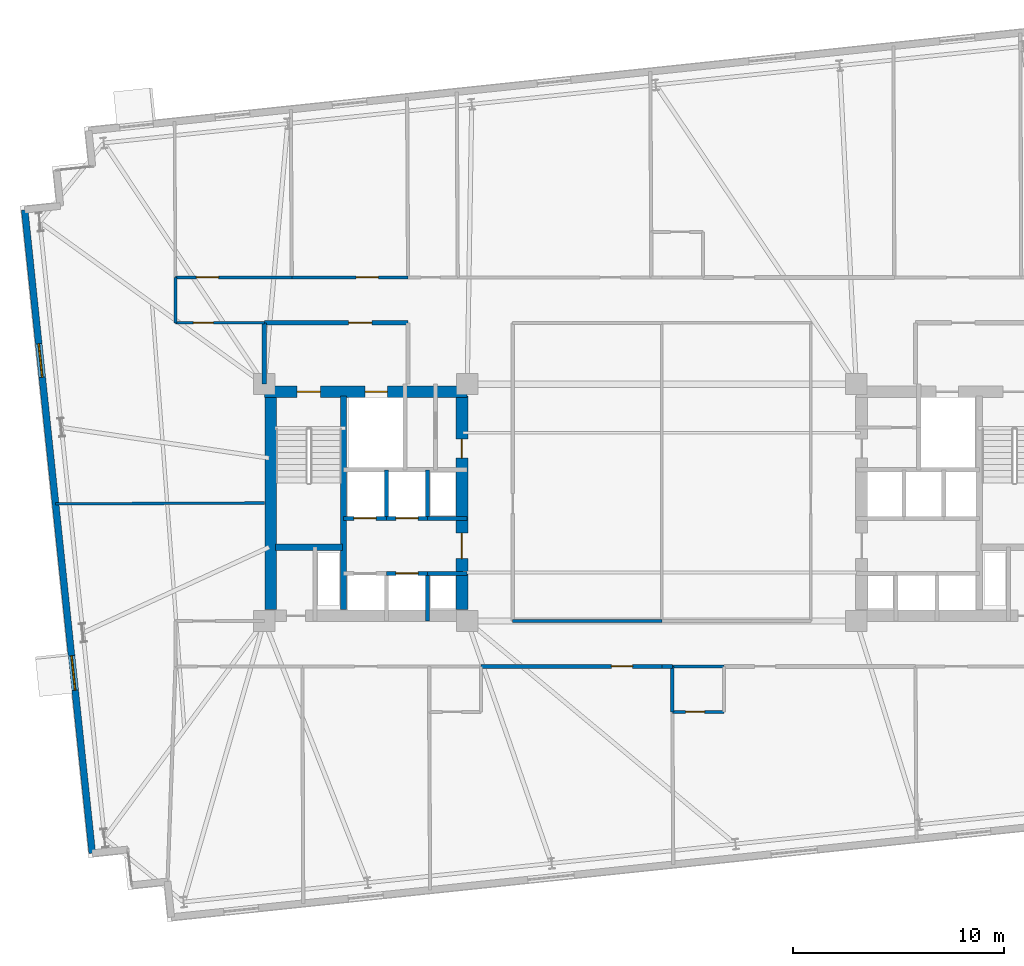
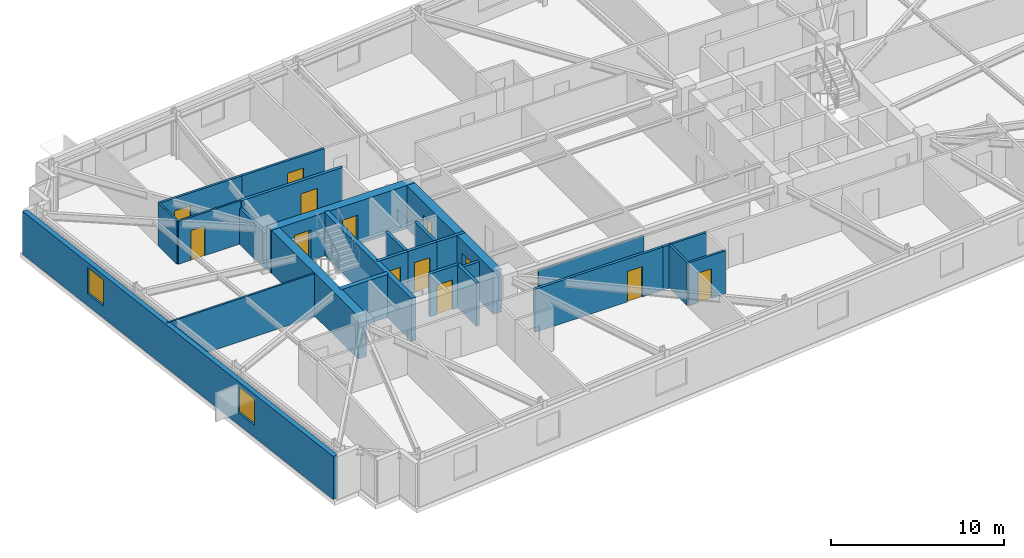
# One storey, part 12 of 17: 27 walls, 13 doors, 2 windows, 15 openings.
"""IFC4 building model written with IfcOpenShell, lengths in metres."""

from ifc_helpers import new_model, si_unit, direction, frame, frame_2d, origin, place, context, subcontext, project, spatial, rectangle, extrude, material, layer, layer_set, type_object, element, fill, save


model = new_model("IFC4")

# Units and contexts
model_context = context("Model", 3, precision=1e-05, world=origin(), true_north=direction((0.0, 1.0)))
body_context = subcontext(model_context, "Body", "Model", "MODEL_VIEW")
ifc_project = project(units=[si_unit("LENGTHUNIT", "METRE"), si_unit("AREAUNIT", "SQUARE_METRE"), si_unit("VOLUMEUNIT", "CUBIC_METRE"), si_unit("PLANEANGLEUNIT", "RADIAN"), si_unit("MASSUNIT", "GRAM", prefix="KILO")], contexts=[model_context])

# Site, building, storey
site_placement = place(None, origin())
site = spatial("IfcSite", under=ifc_project, at=site_placement, CompositionType="ELEMENT")
building_placement = place(site_placement, origin())
building = spatial("IfcBuilding", under=site, at=building_placement, Name="Qobustan Lattice House", CompositionType="ELEMENT")
storey_placement = place(building_placement, frame((0.0, 0.0, 112.5)))
storey = spatial("IfcBuildingStorey", under=building, at=storey_placement, Name="L31", CompositionType="ELEMENT", Elevation=112.5)

# Wall, openings, doors
ifc_material_1 = material(Name="Concrete C60/75", Category="concrete")
ifc_layer_1 = layer(ifc_material_1, 0.56005859375)
ifc_layer_set_1 = layer_set([ifc_layer_1], Name="Concrete C60/75")
wall_type_1 = type_object("IfcWallType", Name="WAL-CORE-600", PredefinedType="SHEAR", material=ifc_layer_set_1)
wall_1_placement = place(storey_placement, frame((-18.800048828125, 5.239990234375, 0.0), z_axis=(0.0, 0.0, 1.0), x_axis=(1.0, 0.0, 0.0)))
wall_1 = element("IfcWall", 1, at=wall_1_placement, inside=storey, type_object=wall_type_1, Name="L31 split-core shear wall CW-N", PredefinedType="SHEAR", context=body_context, shape_type="SweptSolid", body=[
    extrude(rectangle(XDim=9.60009765625, YDim=0.56005859375, at=frame_2d((4.800048828125, 0.0))), origin(), (0.0, 0.0, 1.0), 3.044921875),
])
opening_1_placement = place(wall_1_placement, frame((1.550048828125, 0.0, 0.0)))
opening_1 = element("IfcOpeningElement", 2, at=opening_1_placement, cuts=wall_1, Name="Opening SD-01", PredefinedType="OPENING", context=body_context, shape_type="SweptSolid", body=[
    extrude(rectangle(XDim=1.10009765625, YDim=2.14990234375, at=frame_2d((0.550048828125, 1.074951171875))), frame((0.0, 0.2900390625, 0.0), z_axis=(0.0, -1.0, 0.0), x_axis=(1.0, 0.0, 0.0)), (0.0, 0.0, 1.0), 0.580078125),
])
opening_2_placement = place(wall_1_placement, frame((4.77490234375, 0.0, 0.0)))
opening_2 = element("IfcOpeningElement", 3, at=opening_2_placement, cuts=wall_1, Name="Opening LD-01", PredefinedType="OPENING", context=body_context, shape_type="SweptSolid", body=[
    extrude(rectangle(XDim=1.050048828125, YDim=2.10009765625, at=frame_2d((0.52490234375, 1.050048828125))), frame((0.0, 0.2900390625, 0.0), z_axis=(0.0, -1.0, 0.0), x_axis=(1.0, 0.0, 0.0)), (0.0, 0.0, 1.0), 0.580078125),
])
ifc_material_2 = material(Name="Persian walnut timber and steel frame door", Category="steel")
door_type_1 = type_object("IfcDoorType", Name="DOR-LIFT-LD-1050x2100", OperationType="NOTDEFINED", PredefinedType="DOOR", material=ifc_material_2)
door_1_placement = place(opening_2_placement, origin())
door_1 = element("IfcDoor", 4, at=door_1_placement, inside=storey, type_object=door_type_1, Name="L31 firefighting lift FF-W landing door", OperationType="DOUBLE_DOOR_SLIDING", OverallHeight=2.10009765625, OverallWidth=1.050048828125, PredefinedType="DOOR", context=body_context, shape_type="SweptSolid", body=[
    extrude(rectangle(XDim=1.050048828125, YDim=2.10009765625, at=frame_2d((0.52490234375, 1.050048828125))), frame((0.0, 0.02490234375, 0.0), z_axis=(0.0, -1.0, 0.0), x_axis=(1.0, 0.0, 0.0)), (0.0, 0.0, 1.0), 0.050048828125),
])
fill(opening_2, door_1)
ifc_material_3 = material(Name="Persian walnut timber and steel frame door", Category="steel")
door_type_2 = type_object("IfcDoorType", Name="DOR-STAIR-FD-1100x2150", OperationType="NOTDEFINED", PredefinedType="DOOR", material=ifc_material_3)
door_2_placement = place(opening_1_placement, origin())
door_2 = element("IfcDoor", 5, at=door_2_placement, inside=storey, type_object=door_type_2, Name="L31 exit stair ST-W1 fire door", OperationType="SINGLE_SWING_RIGHT", OverallHeight=2.14990234375, OverallWidth=1.10009765625, PredefinedType="DOOR", context=body_context, shape_type="SweptSolid", body=[
    extrude(rectangle(XDim=1.10009765625, YDim=2.14990234375, at=frame_2d((0.550048828125, 1.074951171875))), frame((0.0, 0.02490234375, 0.0), z_axis=(0.0, -1.0, 0.0), x_axis=(1.0, 0.0, 0.0)), (0.0, 0.0, 1.0), 0.050048828125),
])
fill(opening_1, door_2)

# Wall
wall_2_placement = place(storey_placement, frame((-18.489990234375, -5.050048828125, 0.0), z_axis=(0.0, 0.0, 1.0), x_axis=(0.0, 1.0, 0.0)))
element("IfcWall", 6, at=wall_2_placement, inside=storey, type_object=wall_type_1, Name="L31 split-core shear wall CW-W", PredefinedType="SHEAR", context=body_context, shape_type="SweptSolid", body=[
    extrude(rectangle(XDim=10.10009765625, YDim=0.56005859375, at=frame_2d((5.050048828125, 0.0))), origin(), (0.0, 0.0, 1.0), 3.044921875),
])

# Wall, openings, doors
wall_3_placement = place(storey_placement, frame((-9.449951171875, -5.050048828125, 0.0), z_axis=(0.0, 0.0, 1.0), x_axis=(0.0, 1.0, 0.0)))
wall_3 = element("IfcWall", 7, at=wall_3_placement, inside=storey, type_object=wall_type_1, Name="L31 split-core shear wall CW-E", PredefinedType="SHEAR", context=body_context, shape_type="SweptSolid", body=[
    extrude(rectangle(XDim=10.10009765625, YDim=0.56005859375, at=frame_2d((5.050048828125, 0.0))), origin(), (0.0, 0.0, 1.0), 3.044921875),
])
opening_3_placement = place(wall_3_placement, frame((7.14990234375, 0.0, 0.0)))
opening_3 = element("IfcOpeningElement", 8, at=opening_3_placement, cuts=wall_3, Name="Opening RD-01", PredefinedType="OPENING", context=body_context, shape_type="SweptSolid", body=[
    extrude(rectangle(XDim=0.89990234375, YDim=2.10009765625, at=frame_2d((0.449951171875, 1.050048828125))), frame((0.0, 0.2900390625, 0.0), z_axis=(0.0, -1.0, 0.0), x_axis=(1.0, 0.0, 0.0)), (0.0, 0.0, 1.0), 0.580078125),
])
opening_4_placement = place(wall_3_placement, frame((2.39990234375, 0.0, 0.0)))
opening_4 = element("IfcOpeningElement", 9, at=opening_4_placement, cuts=wall_3, Name="Opening FD-01", PredefinedType="OPENING", context=body_context, shape_type="SweptSolid", body=[
    extrude(rectangle(XDim=1.199951171875, YDim=2.14990234375, at=frame_2d((0.60009765625, 1.074951171875))), frame((0.0, 0.2900390625, 0.0), z_axis=(0.0, -1.0, 0.0), x_axis=(1.0, 0.0, 0.0)), (0.0, 0.0, 1.0), 0.580078125),
])
ifc_material_4 = material(Name="Persian walnut timber and steel frame door", Category="steel")
door_type_3 = type_object("IfcDoorType", Name="DOR-LOBBY-FD-1200x2150", OperationType="NOTDEFINED", PredefinedType="DOOR", material=ifc_material_4)
door_3_placement = place(opening_4_placement, origin())
door_3 = element("IfcDoor", 10, at=door_3_placement, inside=storey, type_object=door_type_3, Name="L31 West passenger lift lobby fire door", OperationType="SINGLE_SWING_LEFT", OverallHeight=2.14990234375, OverallWidth=1.199951171875, PredefinedType="DOOR", context=body_context, shape_type="SweptSolid", body=[
    extrude(rectangle(XDim=1.199951171875, YDim=2.14990234375, at=frame_2d((0.60009765625, 1.074951171875))), frame((0.0, 0.02490234375, 0.0), z_axis=(0.0, -1.0, 0.0), x_axis=(1.0, 0.0, 0.0)), (0.0, 0.0, 1.0), 0.050048828125),
])
fill(opening_4, door_3)
ifc_material_5 = material(Name="Persian walnut timber and steel frame door", Category="steel")
door_type_4 = type_object("IfcDoorType", Name="DOR-RISER-FD-900x2100", OperationType="NOTDEFINED", PredefinedType="DOOR", material=ifc_material_5)
door_4_placement = place(opening_3_placement, origin())
door_4 = element("IfcDoor", 11, at=door_4_placement, inside=storey, type_object=door_type_4, Name="L31 Data comms closet fire door", OperationType="SINGLE_SWING_RIGHT", OverallHeight=2.10009765625, OverallWidth=0.89990234375, PredefinedType="DOOR", context=body_context, shape_type="SweptSolid", body=[
    extrude(rectangle(XDim=0.89990234375, YDim=2.10009765625, at=frame_2d((0.449951171875, 1.050048828125))), frame((0.0, 0.02490234375, 0.0), z_axis=(0.0, -1.0, 0.0), x_axis=(1.0, 0.0, 0.0)), (0.0, 0.0, 1.0), 0.050048828125),
])
fill(opening_3, door_4)

# Walls
ifc_material_6 = material(Name="Concrete C50/60", Category="concrete")
ifc_layer_2 = layer(ifc_material_6, 0.280029296875)
ifc_layer_set_2 = layer_set([ifc_layer_2], Name="Concrete C50/60")
wall_type_2 = type_object("IfcWallType", Name="WAL-CORE-SPINE-280", PredefinedType="SHEAR", material=ifc_layer_set_2)
wall_4_placement = place(storey_placement, frame((-15.050048828125, -5.050048828125, 0.0), z_axis=(0.0, 0.0, 1.0), x_axis=(0.0, 1.0, 0.0)))
element("IfcWall", 12, at=wall_4_placement, inside=storey, type_object=wall_type_2, Name="L31 split-core shear wall CW-M", PredefinedType="SHEAR", context=body_context, shape_type="SweptSolid", body=[
    extrude(rectangle(XDim=10.10009765625, YDim=0.300048828125, at=frame_2d((5.050048828125, 0.0))), origin(), (0.0, 0.0, 1.0), 3.044921875),
])
wall_5_placement = place(storey_placement, frame((-18.280029296875, -2.110107421875, 0.0), z_axis=(0.0, 0.0, 1.0), x_axis=(1.0, 0.0, 0.0)))
element("IfcWall", 13, at=wall_5_placement, inside=storey, type_object=wall_type_2, Name="L31 split-core shear wall CW-ST", PredefinedType="SHEAR", context=body_context, shape_type="SweptSolid", body=[
    extrude(rectangle(XDim=3.179931640625, YDim=0.300048828125, at=frame_2d((1.58984375, 0.0))), origin(), (0.0, 0.0, 1.0), 3.044921875),
])

# Wall, openings, windows
ifc_material_7 = material(Name="Precast concrete C40/50", Category="concrete")
ifc_layer_3 = layer(ifc_material_7, 0.320068359375)
ifc_layer_set_3 = layer_set([ifc_layer_3], Name="Precast concrete C40/50")
wall_type_3 = type_object("IfcWallType", Name="WAL-EXT-STONE-320", PredefinedType="SOLIDWALL", material=ifc_layer_set_3)
wall_6_placement = place(storey_placement, frame((-26.934814453125, -16.58349609375, 0.0), z_axis=(0.0, 0.0, 1.0), x_axis=(-0.104524887486, 0.994522271192, 0.0)))
wall_6 = element("IfcWall", 14, at=wall_6_placement, inside=storey, type_object=wall_type_3, Name="L31 exterior limestone-clad wall 5", PredefinedType="SOLIDWALL", context=body_context, shape_type="SweptSolid", body=[
    extrude(rectangle(XDim=30.600341796875, YDim=0.320068359375, at=frame_2d((15.30029296875, 0.0))), origin(), (0.0, 0.0, 1.0), 3.044921875),
])
opening_5_placement = place(wall_6_placement, frame((7.74609375, 0.0, 0.85009765625)))
opening_5 = element("IfcOpeningElement", 15, at=opening_5_placement, cuts=wall_6, Name="Opening WN-09", PredefinedType="OPENING", context=body_context, shape_type="SweptSolid", body=[
    extrude(rectangle(XDim=1.64990234375, YDim=1.85009765625, at=frame_2d((0.824951171875, 0.925048828125))), frame((0.0, 0.169921875, 0.0), z_axis=(0.0, -1.0, 0.0), x_axis=(1.0, 0.0, 0.0)), (0.0, 0.0, 1.0), 0.340087890625),
])
opening_6_placement = place(wall_6_placement, frame((22.630615234375, 0.0, 0.85009765625)))
opening_6 = element("IfcOpeningElement", 16, at=opening_6_placement, cuts=wall_6, Name="Opening WN-13", PredefinedType="OPENING", context=body_context, shape_type="SweptSolid", body=[
    extrude(rectangle(XDim=1.60009765625, YDim=1.85009765625, at=frame_2d((0.800048828125, 0.925048828125))), frame((0.0, 0.169921875, 0.0), z_axis=(0.0, -1.0, 0.0), x_axis=(1.0, 0.0, 0.0)), (0.0, 0.0, 1.0), 0.340087890625),
])
ifc_material_8 = material(Name="Double-glazed low-E aluminium window", Category="aluminium")
window_type_1 = type_object("IfcWindowType", Name="WIN-BED-1600x1850", PartitioningType="SINGLE_PANEL", PredefinedType="WINDOW", material=ifc_material_8)
window_1_placement = place(opening_6_placement, origin())
window_1 = element("IfcWindow", 17, at=window_1_placement, inside=storey, type_object=window_type_1, Name="L31 Music and podcast studio window", OverallHeight=1.85009765625, OverallWidth=1.60009765625, PartitioningType="SINGLE_PANEL", PredefinedType="WINDOW", context=body_context, shape_type="SweptSolid", body=[
    extrude(rectangle(XDim=1.60009765625, YDim=1.85009765625, at=frame_2d((0.800048828125, 0.925048828125))), frame((0.0, 0.030029296875, 0.0), z_axis=(0.0, -1.0, 0.0), x_axis=(1.0, 0.0, 0.0)), (0.0, 0.0, 1.0), 0.06005859375),
])
fill(opening_6, window_1)
ifc_material_9 = material(Name="Double-glazed low-E aluminium window", Category="aluminium")
window_type_2 = type_object("IfcWindowType", Name="WIN-STU-1650x1850", PartitioningType="SINGLE_PANEL", PredefinedType="WINDOW", material=ifc_material_9)
window_2_placement = place(opening_5_placement, origin())
window_2 = element("IfcWindow", 18, at=window_2_placement, inside=storey, type_object=window_type_2, Name="L31 Academic seminar room window", OverallHeight=1.85009765625, OverallWidth=1.64990234375, PartitioningType="SINGLE_PANEL", PredefinedType="WINDOW", context=body_context, shape_type="SweptSolid", body=[
    extrude(rectangle(XDim=1.64990234375, YDim=1.85009765625, at=frame_2d((0.824951171875, 0.925048828125))), frame((0.0, 0.030029296875, 0.0), z_axis=(0.0, -1.0, 0.0), x_axis=(1.0, 0.0, 0.0)), (0.0, 0.0, 1.0), 0.06005859375),
])
fill(opening_5, window_2)

# Wall, opening, door
ifc_material_10 = material(Name="Gypsum fireboard acoustic partition", Category="gypsum")
ifc_layer_4 = layer(ifc_material_10, 0.179931640625)
ifc_layer_set_4 = layer_set([ifc_layer_4], Name="Gypsum fireboard acoustic partition")
wall_type_4 = type_object("IfcWallType", Name="WAL-FIRE-180", PredefinedType="PARTITIONING", material=ifc_layer_set_4)
wall_7_placement = place(storey_placement, frame((0.0, -7.75, 0.0), z_axis=(0.0, 0.0, 1.0), x_axis=(-1.0, 0.0, 0.0)))
wall_7 = element("IfcWall", 19, at=wall_7_placement, inside=storey, type_object=wall_type_4, Name="L31 interior partition 57", PredefinedType="PARTITIONING", context=body_context, shape_type="SweptSolid", body=[
    extrude(rectangle(XDim=8.550048828125, YDim=0.179931640625, at=frame_2d((4.27490234375, 0.0))), origin(), (0.0, 0.0, 1.0), 3.044921875),
])
opening_7_placement = place(wall_7_placement, frame((1.37890625, 0.0, 0.0)))
opening_7 = element("IfcOpeningElement", 20, at=opening_7_placement, cuts=wall_7, Name="Opening FD-02", PredefinedType="OPENING", context=body_context, shape_type="SweptSolid", body=[
    extrude(rectangle(XDim=1.0, YDim=2.14990234375, at=frame_2d((0.5, 1.074951171875))), frame((0.0, 0.099853515625, 0.0), z_axis=(0.0, -1.0, 0.0), x_axis=(1.0, 0.0, 0.0)), (0.0, 0.0, 1.0), 0.199951171875),
])
ifc_material_11 = material(Name="Persian walnut timber and steel frame door", Category="steel")
door_type_5 = type_object("IfcDoorType", Name="DOR-UNIT-FD-1000x2150", OperationType="NOTDEFINED", PredefinedType="DOOR", material=ifc_material_11)
door_5_placement = place(opening_7_placement, origin())
door_5 = element("IfcDoor", 21, at=door_5_placement, inside=storey, type_object=door_type_5, Name="L31 South-west floor corridor to Kitchenette and studio apartment L31-S2 door", OperationType="SINGLE_SWING_RIGHT", OverallHeight=2.14990234375, OverallWidth=1.0, PredefinedType="DOOR", context=body_context, shape_type="SweptSolid", body=[
    extrude(rectangle(XDim=1.0, YDim=2.14990234375, at=frame_2d((0.5, 1.074951171875))), frame((0.0, 0.02490234375, 0.0), z_axis=(0.0, -1.0, 0.0), x_axis=(1.0, 0.0, 0.0)), (0.0, 0.0, 1.0), 0.050048828125),
])
fill(opening_7, door_5)

# Wall
wall_8_placement = place(storey_placement, frame((0.5, -7.75, 0.0), z_axis=(0.0, 0.0, 1.0), x_axis=(-1.0, 0.0, 0.0)))
element("IfcWall", 22, at=wall_8_placement, inside=storey, type_object=wall_type_4, Name="L31 interior partition 62", PredefinedType="PARTITIONING", context=body_context, shape_type="SweptSolid", body=[
    extrude(rectangle(XDim=0.5, YDim=0.179931640625, at=frame_2d((0.25, 0.0))), origin(), (0.0, 0.0, 1.0), 3.044921875),
])

# Wall, opening, door
ifc_material_12 = material(Name="Lightweight acoustic stud partition", Category="gypsum")
ifc_layer_5 = layer(ifc_material_12, 0.125)
ifc_layer_set_5 = layer_set([ifc_layer_5], Name="Lightweight acoustic stud partition")
wall_type_5 = type_object("IfcWallType", Name="WAL-PART-125", PredefinedType="PARTITIONING", material=ifc_layer_set_5)
wall_9_placement = place(storey_placement, frame((-18.800048828125, 8.5, 0.0), z_axis=(0.0, 0.0, 1.0), x_axis=(-1.0, 0.0, 0.0)))
wall_9 = element("IfcWall", 23, at=wall_9_placement, inside=storey, type_object=wall_type_5, Name="L31 interior partition 38", PredefinedType="PARTITIONING", context=body_context, shape_type="SweptSolid", body=[
    extrude(rectangle(XDim=4.199951171875, YDim=0.125, at=frame_2d((2.10009765625, 0.0))), origin(), (0.0, 0.0, 1.0), 3.044921875),
])
opening_8_placement = place(wall_9_placement, frame((2.40869140625, 0.0, 0.0)))
opening_8 = element("IfcOpeningElement", 24, at=opening_8_placement, cuts=wall_9, Name="Opening ID-01", PredefinedType="OPENING", context=body_context, shape_type="SweptSolid", body=[
    extrude(rectangle(XDim=0.949951171875, YDim=2.10009765625, at=frame_2d((0.47509765625, 1.050048828125))), frame((0.0, 0.072509765625, 0.0), z_axis=(0.0, -1.0, 0.0), x_axis=(1.0, 0.0, 0.0)), (0.0, 0.0, 1.0), 0.14501953125),
])
ifc_material_13 = material(Name="Persian walnut timber and steel frame door", Category="steel")
door_type_6 = type_object("IfcDoorType", Name="DOR-ROOM-950x2100", OperationType="NOTDEFINED", PredefinedType="DOOR", material=ifc_material_13)
door_6_placement = place(opening_8_placement, origin())
door_6 = element("IfcDoor", 25, at=door_6_placement, inside=storey, type_object=door_type_6, Name="L31 North-west floor corridor to Music and podcast studio door", OperationType="SINGLE_SWING_RIGHT", OverallHeight=2.10009765625, OverallWidth=0.949951171875, PredefinedType="DOOR", context=body_context, shape_type="SweptSolid", body=[
    extrude(rectangle(XDim=0.949951171875, YDim=2.10009765625, at=frame_2d((0.47509765625, 1.050048828125))), frame((0.0, 0.02490234375, 0.0), z_axis=(0.0, -1.0, 0.0), x_axis=(1.0, 0.0, 0.0)), (0.0, 0.0, 1.0), 0.050048828125),
])
fill(opening_8, door_6)

# Walls
wall_10_placement = place(storey_placement, frame((-23.0, 8.5, 0.0), z_axis=(0.0, 0.0, 1.0), x_axis=(0.0, 1.0, 0.0)))
element("IfcWall", 26, at=wall_10_placement, inside=storey, type_object=wall_type_5, Name="L31 interior partition 39", PredefinedType="PARTITIONING", context=body_context, shape_type="SweptSolid", body=[
    extrude(rectangle(XDim=2.14990234375, YDim=0.125, at=frame_2d((1.074951171875, 0.0))), origin(), (0.0, 0.0, 1.0), 3.044921875),
])
wall_11_placement = place(storey_placement, frame((-28.6708984375, -0.063720703125, 0.0), z_axis=(0.0, 0.0, 1.0), x_axis=(0.999990089865, 0.004451985263, 0.0)))
element("IfcWall", 27, at=wall_11_placement, inside=storey, type_object=wall_type_5, Name="L31 interior partition 70", PredefinedType="PARTITIONING", context=body_context, shape_type="SweptSolid", body=[
    extrude(rectangle(XDim=9.870849609375, YDim=0.125, at=frame_2d((4.935546875, 0.0))), origin(), (0.0, 0.0, 1.0), 3.044921875),
])

# Wall, opening, door
ifc_material_14 = material(Name="Acoustic twin-stud gypsum partition", Category="gypsum")
ifc_layer_6 = layer(ifc_material_14, 0.14990234375)
ifc_layer_set_6 = layer_set([ifc_layer_6], Name="Acoustic twin-stud gypsum partition")
wall_type_6 = type_object("IfcWallType", Name="WAL-PART-150", PredefinedType="PARTITIONING", material=ifc_layer_set_6)
wall_12_placement = place(storey_placement, frame((-23.0, 10.64990234375, 0.0), z_axis=(0.0, 0.0, 1.0), x_axis=(1.0, 0.0, 0.0)))
wall_12 = element("IfcWall", 28, at=wall_12_placement, inside=storey, type_object=wall_type_6, Name="L31 interior partition 40", PredefinedType="PARTITIONING", context=body_context, shape_type="SweptSolid", body=[
    extrude(rectangle(XDim=5.5, YDim=0.14990234375, at=frame_2d((2.75, 0.0))), origin(), (0.0, 0.0, 1.0), 3.044921875),
])
opening_9_placement = place(wall_12_placement, frame((0.9912109375, 0.0, 0.0)))
opening_9 = element("IfcOpeningElement", 29, at=opening_9_placement, cuts=wall_12, Name="Opening ID-02", PredefinedType="OPENING", context=body_context, shape_type="SweptSolid", body=[
    extrude(rectangle(XDim=1.050048828125, YDim=2.14990234375, at=frame_2d((0.52490234375, 1.074951171875))), frame((0.0, 0.0849609375, 0.0), z_axis=(0.0, -1.0, 0.0), x_axis=(1.0, 0.0, 0.0)), (0.0, 0.0, 1.0), 0.169921875),
])
ifc_material_15 = material(Name="Persian walnut timber and steel frame door", Category="steel")
door_type_7 = type_object("IfcDoorType", Name="DOR-STUDY-1050x2150", OperationType="NOTDEFINED", PredefinedType="DOOR", material=ifc_material_15)
door_7_placement = place(opening_9_placement, origin())
door_7 = element("IfcDoor", 30, at=door_7_placement, inside=storey, type_object=door_type_7, Name="L31 North-west floor corridor to Focus study room N1A door", OperationType="SINGLE_SWING_LEFT", OverallHeight=2.14990234375, OverallWidth=1.050048828125, PredefinedType="DOOR", context=body_context, shape_type="SweptSolid", body=[
    extrude(rectangle(XDim=1.050048828125, YDim=2.14990234375, at=frame_2d((0.52490234375, 1.074951171875))), frame((0.0, 0.02490234375, 0.0), z_axis=(0.0, -1.0, 0.0), x_axis=(1.0, 0.0, 0.0)), (0.0, 0.0, 1.0), 0.050048828125),
])
fill(opening_9, door_7)

wall_13_placement = place(storey_placement, frame((-17.5, 10.64990234375, 0.0), z_axis=(0.0, 0.0, 1.0), x_axis=(1.0, 0.0, 0.0)))
wall_13 = element("IfcWall", 31, at=wall_13_placement, inside=storey, type_object=wall_type_6, Name="L31 interior partition 41", PredefinedType="PARTITIONING", context=body_context, shape_type="SweptSolid", body=[
    extrude(rectangle(XDim=5.5, YDim=0.14990234375, at=frame_2d((2.75, 0.0))), origin(), (0.0, 0.0, 1.0), 3.044921875),
])
opening_10_placement = place(wall_13_placement, frame((3.047607421875, 0.0, 0.0)))
opening_10 = element("IfcOpeningElement", 32, at=opening_10_placement, cuts=wall_13, Name="Opening ID-02", PredefinedType="OPENING", context=body_context, shape_type="SweptSolid", body=[
    extrude(rectangle(XDim=1.050048828125, YDim=2.14990234375, at=frame_2d((0.52490234375, 1.074951171875))), frame((0.0, 0.0849609375, 0.0), z_axis=(0.0, -1.0, 0.0), x_axis=(1.0, 0.0, 0.0)), (0.0, 0.0, 1.0), 0.169921875),
])
door_8_placement = place(opening_10_placement, origin())
door_8 = element("IfcDoor", 33, at=door_8_placement, inside=storey, type_object=door_type_7, Name="L31 North-west floor corridor to Focus study room N1B door", OperationType="SINGLE_SWING_RIGHT", OverallHeight=2.14990234375, OverallWidth=1.050048828125, PredefinedType="DOOR", context=body_context, shape_type="SweptSolid", body=[
    extrude(rectangle(XDim=1.050048828125, YDim=2.14990234375, at=frame_2d((0.52490234375, 1.074951171875))), frame((0.0, 0.02490234375, 0.0), z_axis=(0.0, -1.0, 0.0), x_axis=(1.0, 0.0, 0.0)), (0.0, 0.0, 1.0), 0.050048828125),
])
fill(opening_10, door_8)

# Wall
wall_14_placement = place(storey_placement, frame((-7.050048828125, -5.60009765625, 0.0), z_axis=(0.0, 0.0, 1.0), x_axis=(1.0, 0.0, 0.0)))
element("IfcWall", 34, at=wall_14_placement, inside=storey, type_object=wall_type_6, Name="L31 interior partition 59", PredefinedType="PARTITIONING", context=body_context, shape_type="SweptSolid", body=[
    extrude(rectangle(XDim=7.050048828125, YDim=0.14990234375, at=frame_2d((3.52490234375, 0.0))), origin(), (0.0, 0.0, 1.0), 2.530029296875),
])

# Wall, opening, door
ifc_material_16 = material(Name="Two-hour gypsum fireboard acoustic partition", Category="gypsum")
ifc_layer_7 = layer(ifc_material_16, 0.199951171875)
ifc_layer_set_7 = layer_set([ifc_layer_7], Name="Two-hour gypsum fireboard acoustic partition")
wall_type_7 = type_object("IfcWallType", Name="WAL-PROT-200", PredefinedType="PARTITIONING", material=ifc_layer_set_7)
wall_15_placement = place(storey_placement, frame((-12.0, 8.5, 0.0), z_axis=(0.0, 0.0, 1.0), x_axis=(-1.0, 0.0, 0.0)))
wall_15 = element("IfcWall", 35, at=wall_15_placement, inside=storey, type_object=wall_type_7, Name="L31 interior partition 3", PredefinedType="PARTITIONING", context=body_context, shape_type="SweptSolid", body=[
    extrude(rectangle(XDim=6.800048828125, YDim=0.199951171875, at=frame_2d((3.39990234375, 0.0))), origin(), (0.0, 0.0, 1.0), 3.044921875),
])
opening_11_placement = place(wall_15_placement, frame((1.715087890625, 0.0, 0.0)))
opening_11 = element("IfcOpeningElement", 36, at=opening_11_placement, cuts=wall_15, Name="Opening SD-01", PredefinedType="OPENING", context=body_context, shape_type="SweptSolid", body=[
    extrude(rectangle(XDim=1.10009765625, YDim=2.14990234375, at=frame_2d((0.550048828125, 1.074951171875))), frame((0.0, 0.10986328125, 0.0), z_axis=(0.0, -1.0, 0.0), x_axis=(1.0, 0.0, 0.0)), (0.0, 0.0, 1.0), 0.219970703125),
])
door_9_placement = place(opening_11_placement, origin())
door_9 = element("IfcDoor", 37, at=door_9_placement, inside=storey, type_object=door_type_2, Name="L31 West firefighting lift lobby to North-west floor corridor door", OperationType="SINGLE_SWING_RIGHT", OverallHeight=2.14990234375, OverallWidth=1.10009765625, PredefinedType="DOOR", context=body_context, shape_type="SweptSolid", body=[
    extrude(rectangle(XDim=1.10009765625, YDim=2.14990234375, at=frame_2d((0.550048828125, 1.074951171875))), frame((0.0, 0.02490234375, 0.0), z_axis=(0.0, -1.0, 0.0), x_axis=(1.0, 0.0, 0.0)), (0.0, 0.0, 1.0), 0.050048828125),
])
fill(opening_11, door_9)

# Wall
wall_16_placement = place(storey_placement, frame((-18.800048828125, 8.5, 0.0), z_axis=(0.0, 0.0, 1.0), x_axis=(0.0, -1.0, 0.0)))
element("IfcWall", 38, at=wall_16_placement, inside=storey, type_object=wall_type_7, Name="L31 interior partition 5", PredefinedType="PARTITIONING", context=body_context, shape_type="SweptSolid", body=[
    extrude(rectangle(XDim=2.89990234375, YDim=0.199951171875, at=frame_2d((1.449951171875, 0.0))), origin(), (0.0, 0.0, 1.0), 2.530029296875),
])

# Wall, opening, door
ifc_material_17 = material(Name="Concrete C40/50", Category="concrete")
ifc_layer_8 = layer(ifc_material_17, 0.199951171875)
ifc_layer_set_8 = layer_set([ifc_layer_8], Name="Concrete C40/50")
wall_type_8 = type_object("IfcWallType", Name="WAL-SHAFT-200", PredefinedType="PARTITIONING", material=ifc_layer_set_8)
wall_17_placement = place(storey_placement, frame((-13.02001953125, -3.35009765625, 0.0), z_axis=(0.0, 0.0, 1.0), x_axis=(1.0, 0.0, 0.0)))
wall_17 = element("IfcWall", 39, at=wall_17_placement, inside=storey, type_object=wall_type_8, Name="L31 interior partition 9", PredefinedType="PARTITIONING", context=body_context, shape_type="SweptSolid", body=[
    extrude(rectangle(XDim=1.93994140625, YDim=0.199951171875, at=frame_2d((0.969970703125, 0.0))), origin(), (0.0, 0.0, 1.0), 3.044921875),
])
opening_12_placement = place(wall_17_placement, frame((0.445068359375, 0.0, 0.0)))
opening_12 = element("IfcOpeningElement", 40, at=opening_12_placement, cuts=wall_17, Name="Opening LD-01", PredefinedType="OPENING", context=body_context, shape_type="SweptSolid", body=[
    extrude(rectangle(XDim=1.050048828125, YDim=2.10009765625, at=frame_2d((0.52490234375, 1.050048828125))), frame((0.0, 0.10986328125, 0.0), z_axis=(0.0, -1.0, 0.0), x_axis=(1.0, 0.0, 0.0)), (0.0, 0.0, 1.0), 0.219970703125),
])
door_10_placement = place(opening_12_placement, origin())
door_10 = element("IfcDoor", 41, at=door_10_placement, inside=storey, type_object=door_type_1, Name="L31 lift landing door", OperationType="DOUBLE_DOOR_SLIDING", OverallHeight=2.10009765625, OverallWidth=1.050048828125, PredefinedType="DOOR", context=body_context, shape_type="SweptSolid", body=[
    extrude(rectangle(XDim=1.050048828125, YDim=2.10009765625, at=frame_2d((0.52490234375, 1.050048828125))), frame((0.0, 0.02490234375, 0.0), z_axis=(0.0, -1.0, 0.0), x_axis=(1.0, 0.0, 0.0)), (0.0, 0.0, 1.0), 0.050048828125),
])
fill(opening_12, door_10)

# Wall
wall_18_placement = place(storey_placement, frame((-11.080078125, -3.35009765625, 0.0), z_axis=(0.0, 0.0, 1.0), x_axis=(1.0, 0.0, 0.0)))
element("IfcWall", 42, at=wall_18_placement, inside=storey, type_object=wall_type_8, Name="L31 interior partition 10", PredefinedType="PARTITIONING", context=body_context, shape_type="SweptSolid", body=[
    extrude(rectangle(XDim=1.880126953125, YDim=0.199951171875, at=frame_2d((0.93994140625, 0.0))), origin(), (0.0, 0.0, 1.0), 2.760009765625),
])

# Wall, opening, door
wall_19_placement = place(storey_placement, frame((-13.02001953125, -0.75, 0.0), z_axis=(0.0, 0.0, 1.0), x_axis=(-1.0, 0.0, 0.0)))
wall_19 = element("IfcWall", 43, at=wall_19_placement, inside=storey, type_object=wall_type_8, Name="L31 interior partition 11", PredefinedType="PARTITIONING", context=body_context, shape_type="SweptSolid", body=[
    extrude(rectangle(XDim=2.030029296875, YDim=0.199951171875, at=frame_2d((1.01513671875, 0.0))), origin(), (0.0, 0.0, 1.0), 3.044921875),
])
opening_13_placement = place(wall_19_placement, frame((0.489990234375, 0.0, 0.0)))
opening_13 = element("IfcOpeningElement", 44, at=opening_13_placement, cuts=wall_19, Name="Opening LD-01", PredefinedType="OPENING", context=body_context, shape_type="SweptSolid", body=[
    extrude(rectangle(XDim=1.050048828125, YDim=2.10009765625, at=frame_2d((0.52490234375, 1.050048828125))), frame((0.0, 0.10986328125, 0.0), z_axis=(0.0, -1.0, 0.0), x_axis=(1.0, 0.0, 0.0)), (0.0, 0.0, 1.0), 0.219970703125),
])
door_11_placement = place(opening_13_placement, origin())
door_11 = element("IfcDoor", 45, at=door_11_placement, inside=storey, type_object=door_type_1, Name="L31 lift landing door", OperationType="DOUBLE_DOOR_SLIDING", OverallHeight=2.10009765625, OverallWidth=1.050048828125, PredefinedType="DOOR", context=body_context, shape_type="SweptSolid", body=[
    extrude(rectangle(XDim=1.050048828125, YDim=2.10009765625, at=frame_2d((0.52490234375, 1.050048828125))), frame((0.0, 0.02490234375, 0.0), z_axis=(0.0, -1.0, 0.0), x_axis=(1.0, 0.0, 0.0)), (0.0, 0.0, 1.0), 0.050048828125),
])
fill(opening_13, door_11)

wall_20_placement = place(storey_placement, frame((-11.080078125, -0.75, 0.0), z_axis=(0.0, 0.0, 1.0), x_axis=(-1.0, 0.0, 0.0)))
wall_20 = element("IfcWall", 46, at=wall_20_placement, inside=storey, type_object=wall_type_8, Name="L31 interior partition 12", PredefinedType="PARTITIONING", context=body_context, shape_type="SweptSolid", body=[
    extrude(rectangle(XDim=1.93994140625, YDim=0.199951171875, at=frame_2d((0.969970703125, 0.0))), origin(), (0.0, 0.0, 1.0), 3.044921875),
])
opening_14_placement = place(wall_20_placement, frame((0.445068359375, 0.0, 0.0)))
opening_14 = element("IfcOpeningElement", 47, at=opening_14_placement, cuts=wall_20, Name="Opening LD-01", PredefinedType="OPENING", context=body_context, shape_type="SweptSolid", body=[
    extrude(rectangle(XDim=1.050048828125, YDim=2.10009765625, at=frame_2d((0.52490234375, 1.050048828125))), frame((0.0, 0.10986328125, 0.0), z_axis=(0.0, -1.0, 0.0), x_axis=(1.0, 0.0, 0.0)), (0.0, 0.0, 1.0), 0.219970703125),
])
door_12_placement = place(opening_14_placement, origin())
door_12 = element("IfcDoor", 48, at=door_12_placement, inside=storey, type_object=door_type_1, Name="L31 lift landing door", OperationType="DOUBLE_DOOR_SLIDING", OverallHeight=2.10009765625, OverallWidth=1.050048828125, PredefinedType="DOOR", context=body_context, shape_type="SweptSolid", body=[
    extrude(rectangle(XDim=1.050048828125, YDim=2.10009765625, at=frame_2d((0.52490234375, 1.050048828125))), frame((0.0, 0.02490234375, 0.0), z_axis=(0.0, -1.0, 0.0), x_axis=(1.0, 0.0, 0.0)), (0.0, 0.0, 1.0), 0.050048828125),
])
fill(opening_14, door_12)

# Walls
wall_21_placement = place(storey_placement, frame((-9.199951171875, -0.75, 0.0), z_axis=(0.0, 0.0, 1.0), x_axis=(-1.0, 0.0, 0.0)))
element("IfcWall", 49, at=wall_21_placement, inside=storey, type_object=wall_type_8, Name="L31 interior partition 13", PredefinedType="PARTITIONING", context=body_context, shape_type="SweptSolid", body=[
    extrude(rectangle(XDim=1.880126953125, YDim=0.199951171875, at=frame_2d((0.93994140625, 0.0))), origin(), (0.0, 0.0, 1.0), 3.044921875),
])
wall_22_placement = place(storey_placement, frame((-11.080078125, -5.60009765625, 0.0), z_axis=(0.0, 0.0, 1.0), x_axis=(0.0, 1.0, 0.0)))
element("IfcWall", 50, at=wall_22_placement, inside=storey, type_object=wall_type_8, Name="L31 interior partition 16", PredefinedType="PARTITIONING", context=body_context, shape_type="SweptSolid", body=[
    extrude(rectangle(XDim=2.25, YDim=0.199951171875, at=frame_2d((1.125, 0.0))), origin(), (0.0, 0.0, 1.0), 3.044921875),
])
for number, where, z_axis, x_axis, name in (
    (51, (-13.02001953125, -0.75, 0.0), (0.0, 0.0, 1.0), (0.0, 1.0, 0.0), "L31 interior partition 17"),
    (52, (-11.080078125, -0.75, 0.0), (0.0, 0.0, 1.0), (0.0, 1.0, 0.0), "L31 interior partition 18"),
):
    element("IfcWall", number, at=place(storey_placement, frame(where, z_axis=z_axis, x_axis=x_axis)), inside=storey, type_object=wall_type_8, Name=name, PredefinedType="PARTITIONING", context=body_context, shape_type="SweptSolid", body=[
        extrude(rectangle(XDim=2.300048828125, YDim=0.199951171875, at=frame_2d((1.14990234375, 0.0))), origin(), (0.0, 0.0, 1.0), 3.044921875),
    ])
ifc_material_18 = material(Name="Moisture-resistant acoustic plumbing wall", Category="gypsum")
ifc_layer_9 = layer(ifc_material_18, 0.14990234375)
ifc_layer_set_9 = layer_set([ifc_layer_9], Name="Moisture-resistant acoustic plumbing wall")
wall_type_9 = type_object("IfcWallType", Name="WAL-WET-150", PredefinedType="PLUMBINGWALL", material=ifc_layer_set_9)
wall_23_placement = place(storey_placement, frame((2.949951171875, -7.75, 0.0), z_axis=(0.0, 0.0, 1.0), x_axis=(-1.0, 0.0, 0.0)))
element("IfcWall", 53, at=wall_23_placement, inside=storey, type_object=wall_type_9, Name="L31 interior partition 64", PredefinedType="PLUMBINGWALL", context=body_context, shape_type="SweptSolid", body=[
    extrude(rectangle(XDim=2.449951171875, YDim=0.14990234375, at=frame_2d((1.22509765625, 0.0))), origin(), (0.0, 0.0, 1.0), 3.044921875),
])
wall_24_placement = place(storey_placement, frame((0.5, -7.75, 0.0), z_axis=(0.0, 0.0, 1.0), x_axis=(0.0, -1.0, 0.0)))
element("IfcWall", 54, at=wall_24_placement, inside=storey, type_object=wall_type_9, Name="L31 interior partition 91", PredefinedType="PLUMBINGWALL", context=body_context, shape_type="SweptSolid", body=[
    extrude(rectangle(XDim=2.14990234375, YDim=0.14990234375, at=frame_2d((1.074951171875, 0.0))), origin(), (0.0, 0.0, 1.0), 3.044921875),
])

# Wall, opening, door
wall_25_placement = place(storey_placement, frame((0.5, -9.89990234375, 0.0), z_axis=(0.0, 0.0, 1.0), x_axis=(1.0, 0.0, 0.0)))
wall_25 = element("IfcWall", 55, at=wall_25_placement, inside=storey, type_object=wall_type_9, Name="L31 interior partition 92", PredefinedType="PLUMBINGWALL", context=body_context, shape_type="SweptSolid", body=[
    extrude(rectangle(XDim=2.449951171875, YDim=0.14990234375, at=frame_2d((1.22509765625, 0.0))), origin(), (0.0, 0.0, 1.0), 3.044921875),
])
opening_15_placement = place(wall_25_placement, frame((0.62890625, 0.0, 0.0)))
opening_15 = element("IfcOpeningElement", 56, at=opening_15_placement, cuts=wall_25, Name="Opening WD-01", PredefinedType="OPENING", context=body_context, shape_type="SweptSolid", body=[
    extrude(rectangle(XDim=0.89990234375, YDim=2.10009765625, at=frame_2d((0.449951171875, 1.050048828125))), frame((0.0, 0.0849609375, 0.0), z_axis=(0.0, -1.0, 0.0), x_axis=(1.0, 0.0, 0.0)), (0.0, 0.0, 1.0), 0.169921875),
])
ifc_material_19 = material(Name="Persian walnut timber and steel frame door", Category="steel")
door_type_8 = type_object("IfcDoorType", Name="DOR-WET-900x2100", OperationType="NOTDEFINED", PredefinedType="DOOR", material=ifc_material_19)
door_13_placement = place(opening_15_placement, origin())
door_13 = element("IfcDoor", 57, at=door_13_placement, inside=storey, type_object=door_type_8, Name="L31 Kitchenette and studio apartment L31-S3 to En-suite bathroom L31-S3 door", OperationType="SINGLE_SWING_LEFT", OverallHeight=2.10009765625, OverallWidth=0.89990234375, PredefinedType="DOOR", context=body_context, shape_type="SweptSolid", body=[
    extrude(rectangle(XDim=0.89990234375, YDim=2.10009765625, at=frame_2d((0.449951171875, 1.050048828125))), frame((0.0, 0.02490234375, 0.0), z_axis=(0.0, -1.0, 0.0), x_axis=(1.0, 0.0, 0.0)), (0.0, 0.0, 1.0), 0.050048828125),
])
fill(opening_15, door_13)

save(model, "model.ifc")
